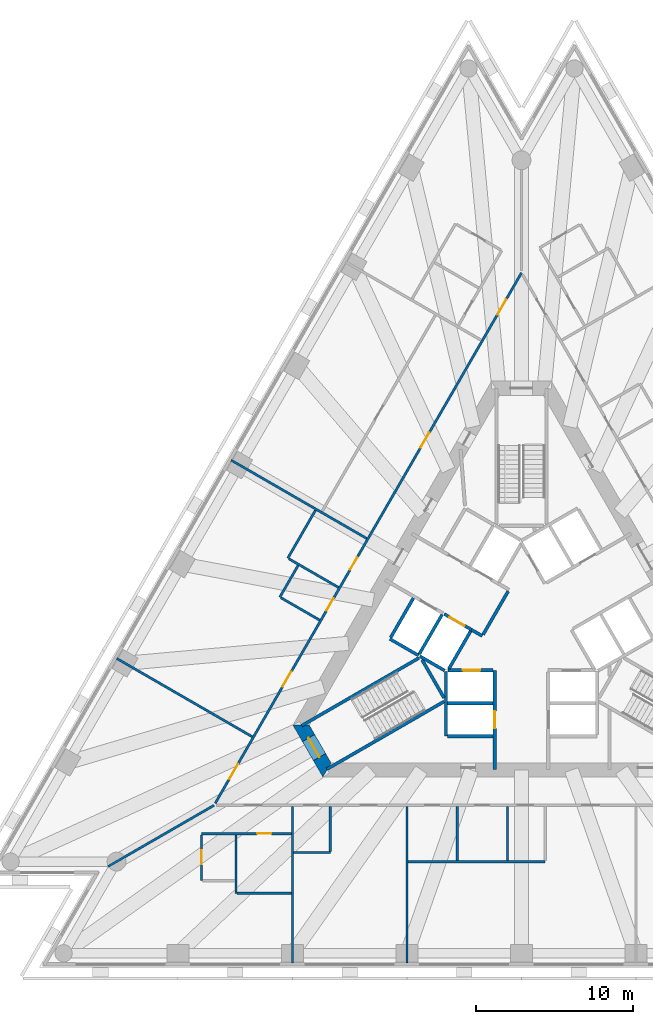
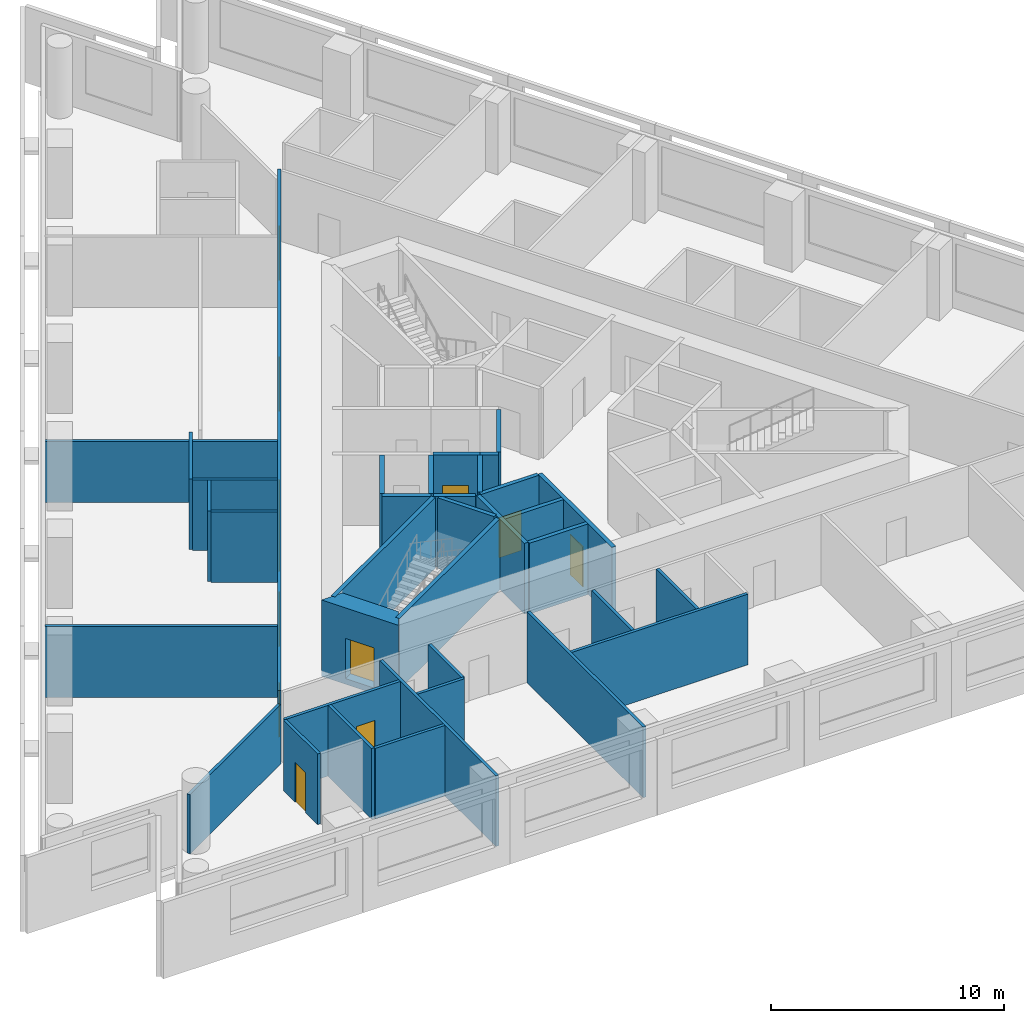
# One storey, part 3 of 11: 36 walls, 12 doors, 12 openings.
"""IFC4 building model written with IfcOpenShell, lengths in metres."""

import ifcopenshell
import ifcopenshell.guid

model = None  # the IFC model being written
_history = None  # IfcOwnerHistory: only IFC2X3 demands one
_inside = {}  # id of a spatial element -> (the spatial element, [elements in it])
_under = {}  # id of a project, library or spatial element -> (it, [spatial elements below it])
_declared = {}  # id of a project -> (the project, [libraries it declares])
_typed = {}  # id of a type object -> (the type object, [elements of that type])
_made_of = {}  # id of a material, layer set ... -> (it, [elements and type objects made of it])


def new_model(schema):
    """Start an empty IFC model of exactly this schema.

    Asked for "IFC4X3", IfcOpenShell would pick the latest addendum, in which some entities
    have other attributes; the version numbers below select the first issue.
    IFC2X3 requires an IfcOwnerHistory on every rooted entity: one is made here for all.
    """
    global model, _history
    if schema == "IFC4X3":
        model = ifcopenshell.file(schema_version=(4, 3, 0, 0))
    else:
        model = ifcopenshell.file(schema=schema)
    _inside.clear()
    _under.clear()
    _declared.clear()
    _typed.clear()
    _made_of.clear()
    _history = None
    if model.schema == "IFC2X3":
        org = make("IfcOrganization", Name="unknown")
        user = make(
            "IfcPersonAndOrganization",
            ThePerson=make("IfcPerson", FamilyName="unknown"),
            TheOrganization=org,
        )
        app = make(
            "IfcApplication",
            ApplicationDeveloper=org,
            Version="unknown",
            ApplicationFullName="unknown",
            ApplicationIdentifier="unknown",
        )
        _history = make(
            "IfcOwnerHistory",
            OwningUser=user,
            OwningApplication=app,
            ChangeAction="ADDED",
            CreationDate=0,
        )
    return model


def make(cls, **values):
    """One entity of the class cls with the attributes given. An attribute that is None is left unset."""
    return model.create_entity(
        cls, **{name: value for name, value in values.items() if value is not None}
    )


def rooted(cls, **values):
    """An entity with a GlobalId (a new one), such as an element, a storey or a relation."""
    return make(cls, GlobalId=ifcopenshell.guid.new(), OwnerHistory=_history, **values)


def si_unit(unit_type, name, prefix=None):
    """IfcSIUnit, for example si_unit("LENGTHUNIT", "METRE", prefix="MILLI")."""
    return make("IfcSIUnit", UnitType=unit_type, Prefix=prefix, Name=name)


def assignment(units):
    """IfcUnitAssignment: the units of a project."""
    return None if units is None else make("IfcUnitAssignment", Units=units)


def point(xyz):
    """IfcCartesianPoint."""
    return None if xyz is None else make("IfcCartesianPoint", Coordinates=xyz)


def direction(xyz):
    """IfcDirection."""
    return None if xyz is None else make("IfcDirection", DirectionRatios=xyz)


def frame(location, z_axis=None, x_axis=None):
    """IfcAxis2Placement3D, a coordinate frame: its origin and axes. An axis left out is left unset."""
    return make(
        "IfcAxis2Placement3D",
        Location=point(location),
        Axis=direction(z_axis),
        RefDirection=direction(x_axis),
    )


def frame_2d(location, x_axis=None):
    """IfcAxis2Placement2D, a coordinate frame in the plane: its origin and x axis."""
    return make(
        "IfcAxis2Placement2D", Location=point(location), RefDirection=direction(x_axis)
    )


def origin():
    """The frame at (0, 0, 0) with its axes left unset."""
    return frame((0.0, 0.0, 0.0))


def place(relative_to, where):
    """IfcLocalPlacement: puts the frame where relative to a parent placement (None: the world)."""
    return make(
        "IfcLocalPlacement", PlacementRelTo=relative_to, RelativePlacement=where
    )


def context(
    kind, dimensions, precision=None, world=None, true_north=None, identifier=None
):
    """IfcGeometricRepresentationContext, for example the 3D "Model" context."""
    return make(
        "IfcGeometricRepresentationContext",
        ContextIdentifier=identifier,
        ContextType=kind,
        CoordinateSpaceDimension=dimensions,
        Precision=precision,
        WorldCoordinateSystem=world,
        TrueNorth=true_north,
    )


def subcontext(parent, identifier, kind, view, scale=None):
    """IfcGeometricRepresentationSubContext, for example "Body" below "Model"."""
    return make(
        "IfcGeometricRepresentationSubContext",
        ContextIdentifier=identifier,
        ContextType=kind,
        ParentContext=parent,
        TargetScale=scale,
        TargetView=view,
    )


def project(units=None, contexts=None):
    """IfcProject with its units and contexts."""
    return rooted(
        "IfcProject",
        Name="project",
        RepresentationContexts=contexts,
        UnitsInContext=assignment(units),
    )


def spatial(cls, under=None, at=None, **own):
    """A site, building, storey or space (cls), placed at a placement, below another one or the project."""
    s = rooted(cls, ObjectPlacement=at, **own)
    if under is not None:
        _under.setdefault(under.id(), (under, []))[1].append(s)
    return s


def polyline(points):
    """IfcPolyline through the points."""
    return make("IfcPolyline", Points=[point(p) for p in points])


def profile(cls, at=None, kind="AREA", **sizes):
    """A parametric profile (cls). Its sizes go by their IFC names, for example OverallWidth=200.0."""
    return make(cls, ProfileType=kind, Position=at, **sizes)


def rectangle(**sizes):
    """IfcRectangleProfileDef."""
    return profile("IfcRectangleProfileDef", **sizes)


def outline(outer, holes=None, kind="AREA"):
    """IfcArbitraryClosedProfileDef: a profile drawn as a closed curve; with holes, ...WithVoids."""
    if holes is None:
        return make("IfcArbitraryClosedProfileDef", ProfileType=kind, OuterCurve=outer)
    return make(
        "IfcArbitraryProfileDefWithVoids",
        ProfileType=kind,
        OuterCurve=outer,
        InnerCurves=holes,
    )


def extrude(swept, where, along, depth):
    """IfcExtrudedAreaSolid: the profile swept, set in the frame where, extruded along a direction by depth."""
    return make(
        "IfcExtrudedAreaSolid",
        SweptArea=swept,
        Position=where,
        ExtrudedDirection=direction(along),
        Depth=depth,
    )


def shape(context_of_items, identifier, shape_type, items):
    """IfcShapeRepresentation: the items that make up one representation, for example the "Body"."""
    return make(
        "IfcShapeRepresentation",
        ContextOfItems=context_of_items,
        RepresentationIdentifier=identifier,
        RepresentationType=shape_type,
        Items=items,
    )


def material(Name=None, Category=None):
    """IfcMaterial."""
    return make("IfcMaterial", Name=Name, Category=Category)


def layer(
    of_material, thickness, ventilated=None, Name=None, Category=None, Priority=None
):
    """IfcMaterialLayer: one layer of a wall or slab, of a material (None: an air gap)."""
    return make(
        "IfcMaterialLayer",
        Material=of_material,
        LayerThickness=thickness,
        IsVentilated=ventilated,
        Name=Name,
        Category=Category,
        Priority=Priority,
    )


def layer_set(layers, Name=None):
    """IfcMaterialLayerSet."""
    return make("IfcMaterialLayerSet", MaterialLayers=layers, LayerSetName=Name)


def made_of(thing, what):
    """Note that an element or type object is made of a material, layer set ...; save() writes the relation."""
    if what is not None:
        _made_of.setdefault(what.id(), (what, []))[1].append(thing)
    return thing


def type_object(cls, material=None, **own):
    """A type object (cls), such as IfcWallType, which elements share."""
    return made_of(rooted(cls, **own), material)


def element(
    cls,
    number,
    at=None,
    inside=None,
    cuts=None,
    type_object=None,
    material=None,
    context=None,
    identifier="Body",
    shape_type=None,
    held_by="IfcProductDefinitionShape",
    body=None,
    shapes=None,
    **own,
):
    """One element of the class cls, such as IfcWall. Its Tag is "e" and its number.

    at: its placement. inside: the storey or other place that contains it. cuts: it is an
    opening in that element (IfcRelVoidsElement). A single representation is given by context,
    identifier, shape_type and body (its items); several are given by shapes. held_by: the class
    of the entity that holds the representations. save() writes the other relations.
    """
    e = rooted(cls, Tag="e%d" % number, ObjectPlacement=at, **own)
    if body is not None:
        shapes = [shape(context, identifier, shape_type, body)]
    if shapes is not None:
        e.Representation = make(held_by, Representations=shapes)
    if inside is not None:
        _inside.setdefault(inside.id(), (inside, []))[1].append(e)
    if cuts is not None:
        rooted(
            "IfcRelVoidsElement", RelatingBuildingElement=cuts, RelatedOpeningElement=e
        )
    if type_object is not None:
        _typed.setdefault(type_object.id(), (type_object, []))[1].append(e)
    return made_of(e, material)


def fill(opening, filler):
    """IfcRelFillsElement: the door or window that sits in an opening."""
    return rooted(
        "IfcRelFillsElement",
        RelatingOpeningElement=opening,
        RelatedBuildingElement=filler,
    )


def aggregate(whole, parts):
    """IfcRelAggregates: a whole, such as a stair, and the parts it consists of."""
    return rooted("IfcRelAggregates", RelatingObject=whole, RelatedObjects=parts)


def save(model, path):
    """Write the relations noted so far, then the file.

    IfcRelAggregates (storeys below a building ...), IfcRelContainedInSpatialStructure (elements
    in a storey), IfcRelDefinesByType, IfcRelAssociatesMaterial and IfcRelDeclares: one each for
    every whole, place, type object, material and project.
    """
    for whole, parts in _under.values():
        aggregate(whole, parts)
    for where, things in _inside.values():
        rooted(
            "IfcRelContainedInSpatialStructure",
            RelatedElements=things,
            RelatingStructure=where,
        )
    for kind, things in _typed.values():
        rooted("IfcRelDefinesByType", RelatedObjects=things, RelatingType=kind)
    for what, things in _made_of.values():
        rooted("IfcRelAssociatesMaterial", RelatedObjects=things, RelatingMaterial=what)
    for by, libraries in _declared.values():
        rooted("IfcRelDeclares", RelatingContext=by, RelatedDefinitions=libraries)
    model.write(path)


model = new_model("IFC4")

# Units and contexts
model_context = context("Model", 3, precision=1e-05, world=origin(), true_north=direction((0.0, 1.0)))
body_context = subcontext(model_context, "Body", "Model", "MODEL_VIEW")
ifc_project = project(units=[si_unit("LENGTHUNIT", "METRE"), si_unit("AREAUNIT", "SQUARE_METRE"), si_unit("VOLUMEUNIT", "CUBIC_METRE"), si_unit("PLANEANGLEUNIT", "RADIAN"), si_unit("MASSUNIT", "GRAM", prefix="KILO")], contexts=[model_context])

# Site, building, storey
site_placement = place(None, origin())
site = spatial("IfcSite", under=ifc_project, at=site_placement, CompositionType="ELEMENT")
building_placement = place(site_placement, origin())
building = spatial("IfcBuilding", under=site, at=building_placement, Name="Triada Interchange Tower", CompositionType="ELEMENT")
storey_placement = place(building_placement, frame((0.0, 0.0, 71.300048828125)))
storey = spatial("IfcBuildingStorey", under=building, at=storey_placement, Name="L15", CompositionType="ELEMENT", Elevation=71.300048828125)

# Walls
ifc_material_1 = material(Name="Concrete C30/37", Category="concrete")
ifc_layer_1 = layer(ifc_material_1, 0.199951171875)
ifc_layer_set_1 = layer_set([ifc_layer_1], Name="CORE WALL 200 EI 120")
wall_type_1 = type_object("IfcWallType", Name="CORE WALL 200 EI 120", PredefinedType="SOLIDWALL", material=ifc_layer_set_1)
wall_1_placement = place(storey_placement, frame((-8.3759765625, -0.70703125, 0.0), z_axis=(0.0, 0.0, 1.0), x_axis=(0.866067520717, -0.499927044236, 0.0)))
element("IfcWall", 1, at=wall_1_placement, inside=storey, type_object=wall_type_1, Name="Wall L15 52", PredefinedType="SOLIDWALL", context=body_context, shape_type="SweptSolid", body=[
    extrude(rectangle(XDim=2.100341796875, YDim=0.199951171875, at=frame_2d((1.05029296875, 0.0))), origin(), (0.0, 0.0, 1.0), 3.699951171875),
])
wall_2_placement = place(storey_placement, frame((-8.325927734375, -0.6201171875, 0.0), z_axis=(0.0, 0.0, 1.0), x_axis=(0.500023687443, 0.866011727401, 0.0)))
element("IfcWall", 2, at=wall_2_placement, inside=storey, type_object=wall_type_1, Name="Wall L15 53", PredefinedType="SOLIDWALL", context=body_context, shape_type="SweptSolid", body=[
    extrude(rectangle(XDim=2.899658203125, YDim=0.199951171875, at=frame_2d((1.44970703125, 0.0))), origin(), (0.0, 0.0, 1.0), 3.699951171875),
])
wall_3_placement = place(storey_placement, frame((-4.699951171875, -4.800048828125, 0.0), z_axis=(0.0, 0.0, 1.0), x_axis=(1.0, 0.0, 0.0)))
element("IfcWall", 3, at=wall_3_placement, inside=storey, type_object=wall_type_1, Name="Wall L15 54", PredefinedType="SOLIDWALL", context=body_context, shape_type="SweptSolid", body=[
    extrude(rectangle(XDim=2.89990234375, YDim=0.199951171875, at=frame_2d((1.449951171875, 0.0))), origin(), (0.0, 0.0, 1.0), 3.699951171875),
])
wall_4_placement = place(storey_placement, frame((-4.800048828125, -6.89990234375, 0.0), z_axis=(0.0, 0.0, 1.0), x_axis=(0.0, 1.0, 0.0)))
element("IfcWall", 4, at=wall_4_placement, inside=storey, type_object=wall_type_1, Name="Wall L15 56", PredefinedType="SOLIDWALL", context=body_context, shape_type="SweptSolid", body=[
    extrude(rectangle(XDim=4.130859375, YDim=0.199951171875, at=frame_2d((2.0654296875, 0.0))), origin(), (0.0, 0.0, 1.0), 3.699951171875),
])
wall_5_placement = place(storey_placement, frame((-4.699951171875, -6.89990234375, 0.0), z_axis=(0.0, 0.0, 1.0), x_axis=(1.0, 0.0, 0.0)))
element("IfcWall", 5, at=wall_5_placement, inside=storey, type_object=wall_type_1, Name="Wall L15 57", PredefinedType="SOLIDWALL", context=body_context, shape_type="SweptSolid", body=[
    extrude(rectangle(XDim=2.89990234375, YDim=0.199951171875, at=frame_2d((1.449951171875, 0.0))), origin(), (0.0, 0.0, 1.0), 3.699951171875),
])

# Wall, opening, door
wall_6_placement = place(storey_placement, frame((-1.699951171875, -9.030029296875, 0.0), z_axis=(0.0, 0.0, 1.0), x_axis=(0.0, 1.0, 0.0)))
wall_6 = element("IfcWall", 6, at=wall_6_placement, inside=storey, type_object=wall_type_1, Name="Wall L15 59", PredefinedType="SOLIDWALL", context=body_context, shape_type="SweptSolid", body=[
    extrude(rectangle(XDim=6.3271484375, YDim=0.199951171875, at=frame_2d((3.16357421875, 0.0))), origin(), (0.0, 0.0, 1.0), 3.699951171875),
])
opening_1_placement = place(wall_6_placement, frame((2.6298828125, 0.0, 0.0)))
opening_1 = element("IfcOpeningElement", 7, at=opening_1_placement, cuts=wall_6, Name="Opening LD-LR4", PredefinedType="OPENING", context=body_context, shape_type="SweptSolid", body=[
    extrude(rectangle(XDim=1.10009765625, YDim=2.10009765625, at=frame_2d((0.550048828125, 1.050048828125))), frame((0.0, 0.10986328125, 0.0), z_axis=(0.0, -1.0, 0.0), x_axis=(1.0, 0.0, 0.0)), (0.0, 0.0, 1.0), 0.219970703125),
])
ifc_material_2 = material(Name="Steel S235 door leaf", Category="steel")
door_type_1 = type_object("IfcDoorType", Name="LIFT LANDING DOOR 1100 EI 120", OperationType="SLIDING_TO_LEFT", PredefinedType="DOOR", material=ifc_material_2)
door_1_placement = place(opening_1_placement, origin())
door_1 = element("IfcDoor", 8, at=door_1_placement, inside=storey, type_object=door_type_1, Name="LR4 landing door L15", OperationType="SLIDING_TO_LEFT", OverallHeight=2.10009765625, OverallWidth=1.10009765625, PredefinedType="DOOR", context=body_context, shape_type="SweptSolid", body=[
    extrude(rectangle(XDim=1.10009765625, YDim=2.10009765625, at=frame_2d((0.550048828125, 1.050048828125))), frame((0.0, 0.02490234375, 0.0), z_axis=(0.0, -1.0, 0.0), x_axis=(1.0, 0.0, 0.0)), (0.0, 0.0, 1.0), 0.050048828125),
])
fill(opening_1, door_1)

wall_7_placement = place(storey_placement, frame((-4.676025390625, -2.699951171875, 0.0), z_axis=(0.0, 0.0, 1.0), x_axis=(1.0, 0.0, 0.0)))
wall_7 = element("IfcWall", 9, at=wall_7_placement, inside=storey, type_object=wall_type_1, Name="Wall L15 60", PredefinedType="SOLIDWALL", context=body_context, shape_type="SweptSolid", body=[
    extrude(rectangle(XDim=2.873046875, YDim=0.199951171875, at=frame_2d((1.4365234375, 0.0))), origin(), (0.0, 0.0, 1.0), 3.699951171875),
])
opening_2_placement = place(wall_7_placement, frame((0.93701171875, 0.0, 0.0)))
opening_2 = element("IfcOpeningElement", 10, at=opening_2_placement, cuts=wall_7, Name="Opening LD-LR3", PredefinedType="OPENING", context=body_context, shape_type="SweptSolid", body=[
    extrude(rectangle(XDim=1.10009765625, YDim=2.10009765625, at=frame_2d((0.550048828125, 1.050048828125))), frame((0.0, 0.10986328125, 0.0), z_axis=(0.0, -1.0, 0.0), x_axis=(1.0, 0.0, 0.0)), (0.0, 0.0, 1.0), 0.219970703125),
])
door_2_placement = place(opening_2_placement, origin())
door_2 = element("IfcDoor", 11, at=door_2_placement, inside=storey, type_object=door_type_1, Name="LR3 landing door L15", OperationType="SLIDING_TO_LEFT", OverallHeight=2.10009765625, OverallWidth=1.10009765625, PredefinedType="DOOR", context=body_context, shape_type="SweptSolid", body=[
    extrude(rectangle(XDim=1.10009765625, YDim=2.10009765625, at=frame_2d((0.550048828125, 1.050048828125))), frame((0.0, 0.02490234375, 0.0), z_axis=(0.0, -1.0, 0.0), x_axis=(1.0, 0.0, 0.0)), (0.0, 0.0, 1.0), 0.050048828125),
])
fill(opening_2, door_2)

# Walls
ifc_layer_2 = layer(ifc_material_1, 0.199951171875)
ifc_layer_set_2 = layer_set([ifc_layer_2], Name="CORE WALL 200 EI 180")
wall_type_2 = type_object("IfcWallType", Name="CORE WALL 200 EI 180", PredefinedType="SOLIDWALL", material=ifc_layer_set_2)
wall_8_placement = place(storey_placement, frame((-3.18798828125, -0.1220703125, 0.0), z_axis=(0.0, 0.0, 1.0), x_axis=(0.865705793592, -0.50055317294, 0.0)))
element("IfcWall", 12, at=wall_8_placement, inside=storey, type_object=wall_type_2, Name="Wall L15 75", PredefinedType="SOLIDWALL", context=body_context, shape_type="SweptSolid", body=[
    extrude(rectangle(XDim=0.796875, YDim=0.199951171875, at=frame_2d((0.3984375, 0.0))), origin(), (0.0, 0.0, 1.0), 3.699951171875),
])
wall_9_placement = place(storey_placement, frame((-2.444091796875, -0.43310546875, 0.0), z_axis=(0.0, 0.0, 1.0), x_axis=(0.500035624827, 0.866004834804, 0.0)))
element("IfcWall", 13, at=wall_9_placement, inside=storey, type_object=wall_type_2, Name="Wall L15 80", PredefinedType="SOLIDWALL", context=body_context, shape_type="SweptSolid", body=[
    extrude(rectangle(XDim=3.194091796875, YDim=0.199951171875, at=frame_2d((1.59716796875, 0.0))), origin(), (0.0, 0.0, 1.0), 3.699951171875),
])
wall_10_placement = place(storey_placement, frame((-6.507080078125, -1.669921875, 0.0), z_axis=(0.0, 0.0, 1.0), x_axis=(0.50012328804, 0.865954211699, 0.0)))
element("IfcWall", 14, at=wall_10_placement, inside=storey, type_object=wall_type_2, Name="Shaft wall FF1 L15 81", PredefinedType="SOLIDWALL", context=body_context, shape_type="SweptSolid", body=[
    extrude(rectangle(XDim=2.899658203125, YDim=0.199951171875, at=frame_2d((1.44970703125, 0.0))), origin(), (0.0, 0.0, 1.0), 3.699951171875),
])
wall_11_placement = place(storey_placement, frame((-6.469970703125, -1.806884765625, 0.0), z_axis=(0.0, 0.0, 1.0), x_axis=(0.865883195159, -0.500246231712, 0.0)))
element("IfcWall", 15, at=wall_11_placement, inside=storey, type_object=wall_type_2, Name="Shaft wall FF1 L15 82", PredefinedType="SOLIDWALL", context=body_context, shape_type="SweptSolid", body=[
    extrude(rectangle(XDim=1.8154296875, YDim=0.199951171875, at=frame_2d((0.90771484375, 0.0))), origin(), (0.0, 0.0, 1.0), 3.699951171875),
])

# Wall, opening, door
wall_12_placement = place(storey_placement, frame((-4.922119140625, 0.87890625, 0.0), z_axis=(0.0, 0.0, 1.0), x_axis=(0.866073918653, -0.499915960366, 0.0)))
wall_12 = element("IfcWall", 16, at=wall_12_placement, inside=storey, type_object=wall_type_2, Name="Shaft wall FF1 L15 83", PredefinedType="SOLIDWALL", context=body_context, shape_type="SweptSolid", body=[
    extrude(rectangle(XDim=2.002197265625, YDim=0.199951171875, at=frame_2d((1.0009765625, 0.0))), origin(), (0.0, 0.0, 1.0), 3.699951171875),
])
opening_3_placement = place(wall_12_placement, frame((0.402099609375, 0.0, 0.0)))
opening_3 = element("IfcOpeningElement", 17, at=opening_3_placement, cuts=wall_12, Name="Opening LD-FF1", PredefinedType="OPENING", context=body_context, shape_type="SweptSolid", body=[
    extrude(rectangle(XDim=1.10009765625, YDim=2.10009765625, at=frame_2d((0.550048828125, 1.050048828125))), frame((0.0, 0.10986328125, 0.0), z_axis=(0.0, -1.0, 0.0), x_axis=(1.0, 0.0, 0.0)), (0.0, 0.0, 1.0), 0.219970703125),
])
door_3_placement = place(opening_3_placement, origin())
door_3 = element("IfcDoor", 18, at=door_3_placement, inside=storey, type_object=door_type_1, Name="FF1 landing door L15", OperationType="SLIDING_TO_LEFT", OverallHeight=2.10009765625, OverallWidth=1.10009765625, PredefinedType="DOOR", context=body_context, shape_type="SweptSolid", body=[
    extrude(rectangle(XDim=1.10009765625, YDim=2.10009765625, at=frame_2d((0.550048828125, 1.050048828125))), frame((0.0, 0.02490234375, 0.0), z_axis=(0.0, -1.0, 0.0), x_axis=(1.0, 0.0, 0.0)), (0.0, 0.0, 1.0), 0.050048828125),
])
fill(opening_3, door_3)

# Walls
wall_13_placement = place(storey_placement, frame((-4.618896484375, -2.60009765625, 0.0), z_axis=(0.0, 0.0, 1.0), x_axis=(0.50009492287, 0.865970593103, 0.0)))
element("IfcWall", 19, at=wall_13_placement, inside=storey, type_object=wall_type_2, Name="Shaft wall FF1 L15 84", PredefinedType="SOLIDWALL", context=body_context, shape_type="SweptSolid", body=[
    extrude(rectangle(XDim=2.76123046875, YDim=0.199951171875, at=frame_2d((1.380615234375, 0.0))), origin(), (0.0, 0.0, 1.0), 3.699951171875),
])
ifc_layer_3 = layer(ifc_material_1, 0.199951171875)
ifc_layer_set_3 = layer_set([ifc_layer_3], Name="CORE WALL 200 REI 240")
wall_type_3 = type_object("IfcWallType", Name="CORE WALL 200 REI 240", PredefinedType="SOLIDWALL", material=ifc_layer_set_3)
wall_14_placement = place(storey_placement, frame((-13.989990234375, -6.22900390625, 0.0), z_axis=(0.0, 0.0, 1.0), x_axis=(0.866060059011, 0.499939970583, 0.0)))
element("IfcWall", 20, at=wall_14_placement, inside=storey, type_object=wall_type_3, Name="Wall L15 93", PredefinedType="SOLIDWALL", context=body_context, shape_type="SweptSolid", body=[
    extrude(rectangle(XDim=8.61474609375, YDim=0.199951171875, at=frame_2d((4.307373046875, 0.0))), origin(), (0.0, 0.0, 1.0), 3.699951171875),
])
wall_15_placement = place(storey_placement, frame((-6.3291015625, -2.0380859375, 0.0), z_axis=(0.0, 0.0, 1.0), x_axis=(0.500200581029, -0.865909567298, 0.0)))
element("IfcWall", 21, at=wall_15_placement, inside=storey, type_object=wall_type_3, Name="Wall L15 94", PredefinedType="SOLIDWALL", context=body_context, shape_type="SweptSolid", body=[
    extrude(rectangle(XDim=2.799072265625, YDim=0.199951171875, at=frame_2d((1.3994140625, 0.0))), origin(), (0.0, 0.0, 1.0), 3.699951171875),
])
wall_16_placement = place(storey_placement, frame((-12.389892578125, -9.0009765625, 0.0), z_axis=(0.0, 0.0, 1.0), x_axis=(0.866010975815, 0.500024989144, 0.0)))
element("IfcWall", 22, at=wall_16_placement, inside=storey, type_object=wall_type_3, Name="Wall L15 95", PredefinedType="SOLIDWALL", context=body_context, shape_type="SweptSolid", body=[
    extrude(rectangle(XDim=8.615234375, YDim=0.199951171875, at=frame_2d((4.3076171875, 0.0))), origin(), (0.0, 0.0, 1.0), 3.699951171875),
])

# Wall, opening, door
ifc_material_3 = material(Name="Concrete C70/85", Category="concrete")
ifc_layer_4 = layer(ifc_material_3, 0.89990234375)
ifc_layer_set_4 = layer_set([ifc_layer_4], Name="Core wall A 900")
wall_type_4 = type_object("IfcWallType", Name="Core wall A 900", PredefinedType="SHEAR", material=ifc_layer_set_4)
wall_17_placement = place(storey_placement, frame((-14.030029296875, -6.199951171875, -0.300048828125), z_axis=(0.0, 0.0, 1.0), x_axis=(0.500111984565, -0.865960739811, 0.0)))
wall_17 = element("IfcWall", 23, at=wall_17_placement, inside=storey, type_object=wall_type_4, Name="Core wall WA03 L15", PredefinedType="SHEAR", context=body_context, shape_type="SweptSolid", body=[
    extrude(outline(polyline([(-0.260009765625, -0.448974609375), (1.6455078125, -0.449462890625), (3.551025390625, -0.449951171875), (3.031982421875, 0.449951171875), (1.64599609375, 0.449951171875), (0.260009765625, 0.449951171875), (-0.260009765625, -0.448974609375)])), origin(), (0.0, 0.0, 1.0), 4.0),
])
opening_4_placement = place(wall_17_placement, frame((0.946044921875, 0.0, 0.300048828125)))
opening_4 = element("IfcOpeningElement", 24, at=opening_4_placement, cuts=wall_17, Name="Opening D15-45", PredefinedType="OPENING", context=body_context, shape_type="SweptSolid", body=[
    extrude(rectangle(XDim=1.39990234375, YDim=2.10009765625, at=frame_2d((0.699951171875, 1.050048828125))), frame((0.0, 0.4599609375, 0.0), z_axis=(0.0, -1.0, 0.0), x_axis=(1.0, 0.0, 0.0)), (0.0, 0.0, 1.0), 0.919921875),
])
door_type_2 = type_object("IfcDoorType", Name="STAIR DOOR 1400 EI2 90-C5S200", OperationType="DOUBLE_DOOR_SINGLE_SWING", PredefinedType="DOOR", material=ifc_material_2)
door_4_placement = place(opening_4_placement, origin())
door_4 = element("IfcDoor", 25, at=door_4_placement, inside=storey, type_object=door_type_2, Name="Door D15-45 L15", OperationType="DOUBLE_DOOR_SINGLE_SWING", OverallHeight=2.10009765625, OverallWidth=1.39990234375, PredefinedType="DOOR", context=body_context, shape_type="SweptSolid", body=[
    extrude(rectangle(XDim=1.39990234375, YDim=2.10009765625, at=frame_2d((0.699951171875, 1.050048828125))), frame((0.0, 0.02490234375, 0.0), z_axis=(0.0, -1.0, 0.0), x_axis=(1.0, 0.0, 0.0)), (0.0, 0.0, 1.0), 0.050048828125),
])
fill(opening_4, door_4)

# Walls
ifc_material_4 = material(Name="Gypsum board partition")
ifc_layer_5 = layer(ifc_material_4, 0.14990234375)
ifc_layer_set_5 = layer_set([ifc_layer_5], Name="PARTITION 150 EI 180")
wall_type_5 = type_object("IfcWallType", Name="PARTITION 150 EI 180", PredefinedType="PARTITIONING", material=ifc_layer_set_5)
wall_18_placement = place(storey_placement, frame((-26.31689453125, -15.194091796875, 0.0), z_axis=(0.0, 0.0, 1.0), x_axis=(0.866031591824, 0.499989281847, 0.0)))
element("IfcWall", 26, at=wall_18_placement, inside=storey, type_object=wall_type_5, Name="Wall L15 1", PredefinedType="PARTITIONING", context=body_context, shape_type="SweptSolid", body=[
    extrude(rectangle(XDim=7.788330078125, YDim=0.14990234375, at=frame_2d((3.89404296875, 0.0))), origin(), (0.0, 0.0, 1.0), 3.099853515625),
])
wall_19_placement = place(storey_placement, frame((-25.77099609375, -1.950927734375, 0.0), z_axis=(0.0, 0.0, 1.0), x_axis=(0.866008152443, -0.500029879009, 0.0)))
element("IfcWall", 27, at=wall_19_placement, inside=storey, type_object=wall_type_5, Name="Wall L15 2", PredefinedType="PARTITIONING", context=body_context, shape_type="SweptSolid", body=[
    extrude(rectangle(XDim=9.9677734375, YDim=0.14990234375, at=frame_2d((4.98388671875, 0.0))), origin(), (0.0, 0.0, 1.0), 3.699951171875),
])

# Wall, openings, doors
wall_20_placement = place(storey_placement, frame((-19.4970703125, -11.169921875, 0.0), z_axis=(0.0, 0.0, 1.0), x_axis=(0.499998854553, 0.866026065108, 0.0)))
wall_20 = element("IfcWall", 28, at=wall_20_placement, inside=storey, type_object=wall_type_5, Name="Wall L15 3", PredefinedType="PARTITIONING", context=body_context, shape_type="SweptSolid", body=[
    extrude(rectangle(XDim=38.994140625, YDim=0.14990234375, at=frame_2d((19.4970703125, 0.0))), origin(), (0.0, 0.0, 1.0), 3.699951171875),
])
opening_5_placement = place(wall_20_placement, frame((35.944091796875, 0.0, 0.0)))
opening_5 = element("IfcOpeningElement", 29, at=opening_5_placement, cuts=wall_20, Name="Opening D15-34", PredefinedType="OPENING", context=body_context, shape_type="SweptSolid", body=[
    extrude(rectangle(XDim=1.10009765625, YDim=2.10009765625, at=frame_2d((0.550048828125, 1.050048828125))), frame((0.0, 0.0849609375, 0.0), z_axis=(0.0, -1.0, 0.0), x_axis=(1.0, 0.0, 0.0)), (0.0, 0.0, 1.0), 0.169921875),
])
opening_6_placement = place(wall_20_placement, frame((26.14794921875, 0.0, 0.0)))
opening_6 = element("IfcOpeningElement", 30, at=opening_6_placement, cuts=wall_20, Name="Opening D15-37", PredefinedType="OPENING", context=body_context, shape_type="SweptSolid", body=[
    extrude(rectangle(XDim=1.10009765625, YDim=2.10009765625, at=frame_2d((0.550048828125, 1.050048828125))), frame((0.0, 0.0849609375, 0.0), z_axis=(0.0, -1.0, 0.0), x_axis=(1.0, 0.0, 0.0)), (0.0, 0.0, 1.0), 0.169921875),
])
opening_7_placement = place(wall_20_placement, frame((8.572021484375, 0.0, 0.0)))
opening_7 = element("IfcOpeningElement", 31, at=opening_7_placement, cuts=wall_20, Name="Opening D15-39", PredefinedType="OPENING", context=body_context, shape_type="SweptSolid", body=[
    extrude(rectangle(XDim=1.10009765625, YDim=2.10009765625, at=frame_2d((0.550048828125, 1.050048828125))), frame((0.0, 0.0849609375, 0.0), z_axis=(0.0, -1.0, 0.0), x_axis=(1.0, 0.0, 0.0)), (0.0, 0.0, 1.0), 0.169921875),
])
opening_8_placement = place(wall_20_placement, frame((17.172119140625, 0.0, 0.0)))
opening_8 = element("IfcOpeningElement", 32, at=opening_8_placement, cuts=wall_20, Name="Opening D15-40", PredefinedType="OPENING", context=body_context, shape_type="SweptSolid", body=[
    extrude(rectangle(XDim=0.89990234375, YDim=2.10009765625, at=frame_2d((0.449951171875, 1.050048828125))), frame((0.0, 0.0849609375, 0.0), z_axis=(0.0, -1.0, 0.0), x_axis=(1.0, 0.0, 0.0)), (0.0, 0.0, 1.0), 0.169921875),
])
opening_9_placement = place(wall_20_placement, frame((14.172119140625, 0.0, 0.0)))
opening_9 = element("IfcOpeningElement", 33, at=opening_9_placement, cuts=wall_20, Name="Opening D15-41", PredefinedType="OPENING", context=body_context, shape_type="SweptSolid", body=[
    extrude(rectangle(XDim=0.89990234375, YDim=2.10009765625, at=frame_2d((0.449951171875, 1.050048828125))), frame((0.0, 0.0849609375, 0.0), z_axis=(0.0, -1.0, 0.0), x_axis=(1.0, 0.0, 0.0)), (0.0, 0.0, 1.0), 0.169921875),
])
opening_10_placement = place(wall_20_placement, frame((1.797119140625, 0.0, 0.0)))
opening_10 = element("IfcOpeningElement", 34, at=opening_10_placement, cuts=wall_20, Name="Opening D15-42", PredefinedType="OPENING", context=body_context, shape_type="SweptSolid", body=[
    extrude(rectangle(XDim=1.10009765625, YDim=2.10009765625, at=frame_2d((0.550048828125, 1.050048828125))), frame((0.0, 0.0849609375, 0.0), z_axis=(0.0, -1.0, 0.0), x_axis=(1.0, 0.0, 0.0)), (0.0, 0.0, 1.0), 0.169921875),
])
door_type_3 = type_object("IfcDoorType", Name="ROOM DOOR 900 EI2 90-C5S200", OperationType="NOTDEFINED", PredefinedType="DOOR", material=ifc_material_2)
door_5_placement = place(opening_8_placement, origin())
door_5 = element("IfcDoor", 35, at=door_5_placement, inside=storey, type_object=door_type_3, Name="Door D15-40 L15", OperationType="SINGLE_SWING_LEFT", OverallHeight=2.10009765625, OverallWidth=0.89990234375, PredefinedType="DOOR", context=body_context, shape_type="SweptSolid", body=[
    extrude(rectangle(XDim=0.89990234375, YDim=2.10009765625, at=frame_2d((0.449951171875, 1.050048828125))), frame((0.0, 0.02490234375, 0.0), z_axis=(0.0, -1.0, 0.0), x_axis=(1.0, 0.0, 0.0)), (0.0, 0.0, 1.0), 0.050048828125),
])
fill(opening_8, door_5)
door_6_placement = place(opening_9_placement, origin())
door_6 = element("IfcDoor", 36, at=door_6_placement, inside=storey, type_object=door_type_3, Name="Door D15-41 L15", OperationType="SINGLE_SWING_RIGHT", OverallHeight=2.10009765625, OverallWidth=0.89990234375, PredefinedType="DOOR", context=body_context, shape_type="SweptSolid", body=[
    extrude(rectangle(XDim=0.89990234375, YDim=2.10009765625, at=frame_2d((0.449951171875, 1.050048828125))), frame((0.0, 0.02490234375, 0.0), z_axis=(0.0, -1.0, 0.0), x_axis=(1.0, 0.0, 0.0)), (0.0, 0.0, 1.0), 0.050048828125),
])
fill(opening_9, door_6)
door_type_4 = type_object("IfcDoorType", Name="TENANCY ENTRANCE DOOR 1100 EI2 90-C5S200", OperationType="NOTDEFINED", PredefinedType="DOOR", material=ifc_material_2)
door_7_placement = place(opening_5_placement, origin())
door_7 = element("IfcDoor", 37, at=door_7_placement, inside=storey, type_object=door_type_4, Name="Door D15-34 L15", OperationType="SINGLE_SWING_RIGHT", OverallHeight=2.10009765625, OverallWidth=1.10009765625, PredefinedType="DOOR", context=body_context, shape_type="SweptSolid", body=[
    extrude(rectangle(XDim=1.10009765625, YDim=2.10009765625, at=frame_2d((0.550048828125, 1.050048828125))), frame((0.0, 0.02490234375, 0.0), z_axis=(0.0, -1.0, 0.0), x_axis=(1.0, 0.0, 0.0)), (0.0, 0.0, 1.0), 0.050048828125),
])
fill(opening_5, door_7)
door_8_placement = place(opening_6_placement, origin())
door_8 = element("IfcDoor", 38, at=door_8_placement, inside=storey, type_object=door_type_4, Name="Door D15-37 L15", OperationType="SINGLE_SWING_RIGHT", OverallHeight=2.10009765625, OverallWidth=1.10009765625, PredefinedType="DOOR", context=body_context, shape_type="SweptSolid", body=[
    extrude(rectangle(XDim=1.10009765625, YDim=2.10009765625, at=frame_2d((0.550048828125, 1.050048828125))), frame((0.0, 0.02490234375, 0.0), z_axis=(0.0, -1.0, 0.0), x_axis=(1.0, 0.0, 0.0)), (0.0, 0.0, 1.0), 0.050048828125),
])
fill(opening_6, door_8)
door_9_placement = place(opening_7_placement, origin())
door_9 = element("IfcDoor", 39, at=door_9_placement, inside=storey, type_object=door_type_4, Name="Door D15-39 L15", OperationType="SINGLE_SWING_RIGHT", OverallHeight=2.10009765625, OverallWidth=1.10009765625, PredefinedType="DOOR", context=body_context, shape_type="SweptSolid", body=[
    extrude(rectangle(XDim=1.10009765625, YDim=2.10009765625, at=frame_2d((0.550048828125, 1.050048828125))), frame((0.0, 0.02490234375, 0.0), z_axis=(0.0, -1.0, 0.0), x_axis=(1.0, 0.0, 0.0)), (0.0, 0.0, 1.0), 0.050048828125),
])
fill(opening_7, door_9)
door_10_placement = place(opening_10_placement, origin())
door_10 = element("IfcDoor", 40, at=door_10_placement, inside=storey, type_object=door_type_4, Name="Door D15-42 L15", OperationType="SINGLE_SWING_LEFT", OverallHeight=2.10009765625, OverallWidth=1.10009765625, PredefinedType="DOOR", context=body_context, shape_type="SweptSolid", body=[
    extrude(rectangle(XDim=1.10009765625, YDim=2.10009765625, at=frame_2d((0.550048828125, 1.050048828125))), frame((0.0, 0.02490234375, 0.0), z_axis=(0.0, -1.0, 0.0), x_axis=(1.0, 0.0, 0.0)), (0.0, 0.0, 1.0), 0.050048828125),
])
fill(opening_10, door_10)

# Walls
wall_21_placement = place(storey_placement, frame((-18.48291015625, 10.6708984375, 0.0), z_axis=(0.0, 0.0, 1.0), x_axis=(0.866012634826, -0.500022115832, 0.0)))
element("IfcWall", 41, at=wall_21_placement, inside=storey, type_object=wall_type_5, Name="Wall L15 5", PredefinedType="PARTITIONING", context=body_context, shape_type="SweptSolid", body=[
    extrude(rectangle(XDim=9.96728515625, YDim=0.14990234375, at=frame_2d((4.983642578125, 0.0))), origin(), (0.0, 0.0, 1.0), 3.199951171875),
])
wall_22_placement = place(storey_placement, frame((-14.574951171875, -21.342041015625, 0.0), z_axis=(0.0, 0.0, 1.0), x_axis=(0.0, 1.0, 0.0)))
element("IfcWall", 42, at=wall_22_placement, inside=storey, type_object=wall_type_5, Name="Wall L15 7", PredefinedType="PARTITIONING", context=body_context, shape_type="SweptSolid", body=[
    extrude(rectangle(XDim=9.967041015625, YDim=0.14990234375, at=frame_2d((4.9833984375, 0.0))), origin(), (0.0, 0.0, 1.0), 3.699951171875),
])
wall_23_placement = place(storey_placement, frame((-14.5, -14.300048828125, 0.0), z_axis=(0.0, 0.0, 1.0), x_axis=(1.0, 0.0, 0.0)))
element("IfcWall", 43, at=wall_23_placement, inside=storey, type_object=wall_type_5, Name="Wall L15 8", PredefinedType="PARTITIONING", context=body_context, shape_type="SweptSolid", body=[
    extrude(rectangle(XDim=2.324951171875, YDim=0.14990234375, at=frame_2d((1.16259765625, 0.0))), origin(), (0.0, 0.0, 1.0), 3.699951171875),
])
wall_24_placement = place(storey_placement, frame((-12.175048828125, -14.22509765625, 0.0), z_axis=(0.0, 0.0, 1.0), x_axis=(0.0, 1.0, 0.0)))
element("IfcWall", 44, at=wall_24_placement, inside=storey, type_object=wall_type_5, Name="Wall L15 9", PredefinedType="PARTITIONING", context=body_context, shape_type="SweptSolid", body=[
    extrude(rectangle(XDim=2.85009765625, YDim=0.14990234375, at=frame_2d((1.425048828125, 0.0))), origin(), (0.0, 0.0, 1.0), 3.699951171875),
])
wall_25_placement = place(storey_placement, frame((-14.876953125, 4.431884765625, 0.0), z_axis=(0.0, 0.0, 1.0), x_axis=(0.499826373536, 0.866125623866, 0.0)))
element("IfcWall", 45, at=wall_25_placement, inside=storey, type_object=wall_type_5, Name="Wall L15 10", PredefinedType="PARTITIONING", context=body_context, shape_type="SweptSolid", body=[
    extrude(rectangle(XDim=3.525146484375, YDim=0.14990234375, at=frame_2d((1.7626953125, 0.0))), origin(), (0.0, 0.0, 1.0), 3.699951171875),
])
wall_26_placement = place(storey_placement, frame((-14.81201171875, 4.39501953125, 0.0), z_axis=(0.0, 0.0, 1.0), x_axis=(0.866040790738, -0.499973348067, 0.0)))
element("IfcWall", 46, at=wall_26_placement, inside=storey, type_object=wall_type_5, Name="Wall L15 11", PredefinedType="PARTITIONING", context=body_context, shape_type="SweptSolid", body=[
    extrude(rectangle(XDim=3.650146484375, YDim=0.14990234375, at=frame_2d((1.8251953125, 0.0))), origin(), (0.0, 0.0, 1.0), 3.699951171875),
])
wall_27_placement = place(storey_placement, frame((-15.384033203125, 1.9541015625, 0.0), z_axis=(0.0, 0.0, 1.0), x_axis=(0.499980071345, 0.866036909293, 0.0)))
element("IfcWall", 47, at=wall_27_placement, inside=storey, type_object=wall_type_5, Name="Wall L15 12", PredefinedType="PARTITIONING", context=body_context, shape_type="SweptSolid", body=[
    extrude(rectangle(XDim=2.32421875, YDim=0.14990234375, at=frame_2d((1.162109375, 0.0))), origin(), (0.0, 0.0, 1.0), 3.699951171875),
])
wall_28_placement = place(storey_placement, frame((-15.319091796875, 1.916015625, 0.0), z_axis=(0.0, 0.0, 1.0), x_axis=(0.866004402611, -0.500036373335, 0.0)))
element("IfcWall", 48, at=wall_28_placement, inside=storey, type_object=wall_type_5, Name="Wall L15 13", PredefinedType="PARTITIONING", context=body_context, shape_type="SweptSolid", body=[
    extrude(rectangle(XDim=2.849853515625, YDim=0.14990234375, at=frame_2d((1.4248046875, 0.0))), origin(), (0.0, 0.0, 1.0), 3.699951171875),
])
wall_29_placement = place(storey_placement, frame((-7.2880859375, -21.342041015625, 0.0), z_axis=(0.0, 0.0, 1.0), x_axis=(0.0, 1.0, 0.0)))
element("IfcWall", 49, at=wall_29_placement, inside=storey, type_object=wall_type_5, Name="Wall L15 15", PredefinedType="PARTITIONING", context=body_context, shape_type="SweptSolid", body=[
    extrude(rectangle(XDim=9.967041015625, YDim=0.14990234375, at=frame_2d((4.9833984375, 0.0))), origin(), (0.0, 0.0, 1.0), 3.699951171875),
])
wall_30_placement = place(storey_placement, frame((-7.212890625, -14.89990234375, 0.0), z_axis=(0.0, 0.0, 1.0), x_axis=(1.0, 0.0, 0.0)))
element("IfcWall", 50, at=wall_30_placement, inside=storey, type_object=wall_type_5, Name="Wall L15 16", PredefinedType="PARTITIONING", context=body_context, shape_type="SweptSolid", body=[
    extrude(rectangle(XDim=8.724853515625, YDim=0.14990234375, at=frame_2d((4.3623046875, 0.0))), origin(), (0.0, 0.0, 1.0), 3.699951171875),
])
for number, where, z_axis, x_axis, name in (
    (51, (-4.087890625, -14.824951171875, 0.0), (0.0, 0.0, 1.0), (0.0, 1.0, 0.0), "Wall L15 17"),
    (52, (-0.887939453125, -14.824951171875, 0.0), (0.0, 0.0, 1.0), (0.0, 1.0, 0.0), "Wall L15 19"),
):
    element("IfcWall", number, at=place(storey_placement, frame(where, z_axis=z_axis, x_axis=x_axis)), inside=storey, type_object=wall_type_5, Name=name, PredefinedType="PARTITIONING", context=body_context, shape_type="SweptSolid", body=[
        extrude(rectangle(XDim=3.449951171875, YDim=0.14990234375, at=frame_2d((1.72509765625, 0.0))), origin(), (0.0, 0.0, 1.0), 3.699951171875),
    ])
ifc_layer_6 = layer(ifc_material_4, 0.14990234375)
ifc_layer_set_6 = layer_set([ifc_layer_6], Name="PARTITION 150 EI 90")
wall_type_6 = type_object("IfcWallType", Name="PARTITION 150 EI 90", PredefinedType="PARTITIONING", material=ifc_layer_set_6)
wall_31_placement = place(storey_placement, frame((-18.175048828125, -16.89990234375, 0.0), z_axis=(0.0, 0.0, 1.0), x_axis=(0.0, 1.0, 0.0)))
element("IfcWall", 53, at=wall_31_placement, inside=storey, type_object=wall_type_6, Name="Wall L15 34", PredefinedType="PARTITIONING", context=body_context, shape_type="SweptSolid", body=[
    extrude(rectangle(XDim=3.724853515625, YDim=0.14990234375, at=frame_2d((1.8623046875, 0.0))), origin(), (0.0, 0.0, 1.0), 3.699951171875),
])

# Wall, opening, door
wall_32_placement = place(storey_placement, frame((-20.375, -13.10009765625, 0.0), z_axis=(0.0, 0.0, 1.0), x_axis=(1.0, 0.0, 0.0)))
wall_32 = element("IfcWall", 54, at=wall_32_placement, inside=storey, type_object=wall_type_6, Name="Wall L15 35", PredefinedType="PARTITIONING", context=body_context, shape_type="SweptSolid", body=[
    extrude(rectangle(XDim=5.72509765625, YDim=0.14990234375, at=frame_2d((2.862548828125, 0.0))), origin(), (0.0, 0.0, 1.0), 3.699951171875),
])
opening_11_placement = place(wall_32_placement, frame((3.550048828125, 0.0, 0.0)))
opening_11 = element("IfcOpeningElement", 55, at=opening_11_placement, cuts=wall_32, Name="Opening D15-12", PredefinedType="OPENING", context=body_context, shape_type="SweptSolid", body=[
    extrude(rectangle(XDim=0.89990234375, YDim=2.10009765625, at=frame_2d((0.449951171875, 1.050048828125))), frame((0.0, 0.0849609375, 0.0), z_axis=(0.0, -1.0, 0.0), x_axis=(1.0, 0.0, 0.0)), (0.0, 0.0, 1.0), 0.169921875),
])
door_type_5 = type_object("IfcDoorType", Name="ROOM DOOR 900 EI2 45-C5S200", OperationType="NOTDEFINED", PredefinedType="DOOR", material=ifc_material_2)
door_11_placement = place(opening_11_placement, origin())
door_11 = element("IfcDoor", 56, at=door_11_placement, inside=storey, type_object=door_type_5, Name="Door D15-12 L15", OperationType="SINGLE_SWING_LEFT", OverallHeight=2.10009765625, OverallWidth=0.89990234375, PredefinedType="DOOR", context=body_context, shape_type="SweptSolid", body=[
    extrude(rectangle(XDim=0.89990234375, YDim=2.10009765625, at=frame_2d((0.449951171875, 1.050048828125))), frame((0.0, 0.02490234375, 0.0), z_axis=(0.0, -1.0, 0.0), x_axis=(1.0, 0.0, 0.0)), (0.0, 0.0, 1.0), 0.050048828125),
])
fill(opening_11, door_11)

wall_33_placement = place(storey_placement, frame((-20.375, -16.10009765625, 0.0), z_axis=(0.0, 0.0, 1.0), x_axis=(0.0, 1.0, 0.0)))
wall_33 = element("IfcWall", 57, at=wall_33_placement, inside=storey, type_object=wall_type_6, Name="Wall L15 37", PredefinedType="PARTITIONING", context=body_context, shape_type="SweptSolid", body=[
    extrude(rectangle(XDim=2.925048828125, YDim=0.14990234375, at=frame_2d((1.46240234375, 0.0))), origin(), (0.0, 0.0, 1.0), 3.699951171875),
])
opening_12_placement = place(wall_33_placement, frame((1.050048828125, 0.0, 0.0)))
opening_12 = element("IfcOpeningElement", 58, at=opening_12_placement, cuts=wall_33, Name="Opening D15-13", PredefinedType="OPENING", context=body_context, shape_type="SweptSolid", body=[
    extrude(rectangle(XDim=0.89990234375, YDim=2.10009765625, at=frame_2d((0.449951171875, 1.050048828125))), frame((0.0, 0.0849609375, 0.0), z_axis=(0.0, -1.0, 0.0), x_axis=(1.0, 0.0, 0.0)), (0.0, 0.0, 1.0), 0.169921875),
])
door_type_6 = type_object("IfcDoorType", Name="SERVICE DOOR 900 EI2 45-C5S200", OperationType="NOTDEFINED", PredefinedType="DOOR", material=ifc_material_2)
door_12_placement = place(opening_12_placement, origin())
door_12 = element("IfcDoor", 59, at=door_12_placement, inside=storey, type_object=door_type_6, Name="Door D15-13 L15", OperationType="SINGLE_SWING_LEFT", OverallHeight=2.10009765625, OverallWidth=0.89990234375, PredefinedType="DOOR", context=body_context, shape_type="SweptSolid", body=[
    extrude(rectangle(XDim=0.89990234375, YDim=2.10009765625, at=frame_2d((0.449951171875, 1.050048828125))), frame((0.0, 0.02490234375, 0.0), z_axis=(0.0, -1.0, 0.0), x_axis=(1.0, 0.0, 0.0)), (0.0, 0.0, 1.0), 0.050048828125),
])
fill(opening_12, door_12)

# Wall
wall_34_placement = place(storey_placement, frame((-18.10009765625, -16.89990234375, 0.0), z_axis=(0.0, 0.0, 1.0), x_axis=(1.0, 0.0, 0.0)))
element("IfcWall", 60, at=wall_34_placement, inside=storey, type_object=wall_type_6, Name="Wall L15 39", PredefinedType="PARTITIONING", context=body_context, shape_type="SweptSolid", body=[
    extrude(rectangle(XDim=3.4501953125, YDim=0.14990234375, at=frame_2d((1.72509765625, 0.0))), origin(), (0.0, 0.0, 1.0), 3.699951171875),
])

save(model, "model.ifc")
